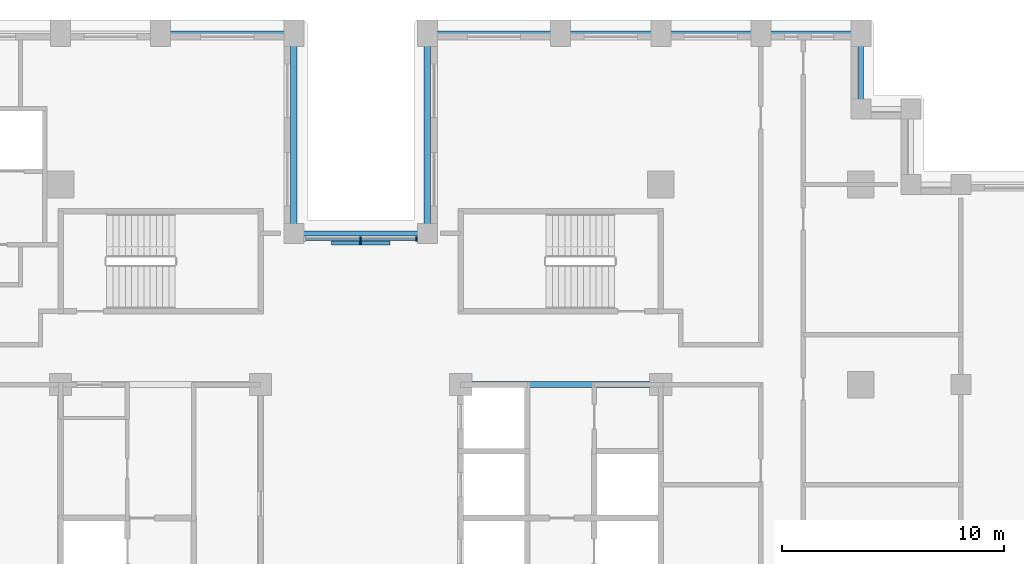
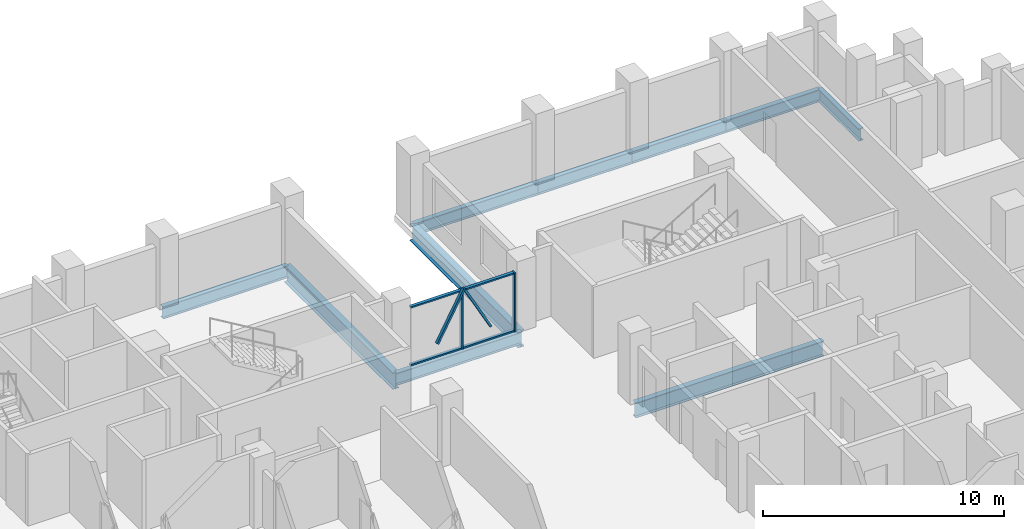
# One storey, part 4 of 16: 10 beams, 8 members, 1 element without a shape of its own.
"""IFC4 building model written with IfcOpenShell, lengths in metres."""

import ifcopenshell
import ifcopenshell.guid

model = None  # the IFC model being written
_history = None  # IfcOwnerHistory: only IFC2X3 demands one
_inside = {}  # id of a spatial element -> (the spatial element, [elements in it])
_under = {}  # id of a project, library or spatial element -> (it, [spatial elements below it])
_declared = {}  # id of a project -> (the project, [libraries it declares])
_typed = {}  # id of a type object -> (the type object, [elements of that type])
_made_of = {}  # id of a material, layer set ... -> (it, [elements and type objects made of it])


def new_model(schema):
    """Start an empty IFC model of exactly this schema.

    Asked for "IFC4X3", IfcOpenShell would pick the latest addendum, in which some entities
    have other attributes; the version numbers below select the first issue.
    IFC2X3 requires an IfcOwnerHistory on every rooted entity: one is made here for all.
    """
    global model, _history
    if schema == "IFC4X3":
        model = ifcopenshell.file(schema_version=(4, 3, 0, 0))
    else:
        model = ifcopenshell.file(schema=schema)
    _inside.clear()
    _under.clear()
    _declared.clear()
    _typed.clear()
    _made_of.clear()
    _history = None
    if model.schema == "IFC2X3":
        org = make("IfcOrganization", Name="unknown")
        user = make(
            "IfcPersonAndOrganization",
            ThePerson=make("IfcPerson", FamilyName="unknown"),
            TheOrganization=org,
        )
        app = make(
            "IfcApplication",
            ApplicationDeveloper=org,
            Version="unknown",
            ApplicationFullName="unknown",
            ApplicationIdentifier="unknown",
        )
        _history = make(
            "IfcOwnerHistory",
            OwningUser=user,
            OwningApplication=app,
            ChangeAction="ADDED",
            CreationDate=0,
        )
    return model


def make(cls, **values):
    """One entity of the class cls with the attributes given. An attribute that is None is left unset."""
    return model.create_entity(
        cls, **{name: value for name, value in values.items() if value is not None}
    )


def rooted(cls, **values):
    """An entity with a GlobalId (a new one), such as an element, a storey or a relation."""
    return make(cls, GlobalId=ifcopenshell.guid.new(), OwnerHistory=_history, **values)


def si_unit(unit_type, name, prefix=None):
    """IfcSIUnit, for example si_unit("LENGTHUNIT", "METRE", prefix="MILLI")."""
    return make("IfcSIUnit", UnitType=unit_type, Prefix=prefix, Name=name)


def assignment(units):
    """IfcUnitAssignment: the units of a project."""
    return None if units is None else make("IfcUnitAssignment", Units=units)


def point(xyz):
    """IfcCartesianPoint."""
    return None if xyz is None else make("IfcCartesianPoint", Coordinates=xyz)


def direction(xyz):
    """IfcDirection."""
    return None if xyz is None else make("IfcDirection", DirectionRatios=xyz)


def frame(location, z_axis=None, x_axis=None):
    """IfcAxis2Placement3D, a coordinate frame: its origin and axes. An axis left out is left unset."""
    return make(
        "IfcAxis2Placement3D",
        Location=point(location),
        Axis=direction(z_axis),
        RefDirection=direction(x_axis),
    )


def frame_2d(location, x_axis=None):
    """IfcAxis2Placement2D, a coordinate frame in the plane: its origin and x axis."""
    return make(
        "IfcAxis2Placement2D", Location=point(location), RefDirection=direction(x_axis)
    )


def origin():
    """The frame at (0, 0, 0) with its axes left unset."""
    return frame((0.0, 0.0, 0.0))


def origin_2d():
    """The frame at (0, 0) in the plane with its x axis left unset."""
    return frame_2d((0.0, 0.0))


def place(relative_to, where):
    """IfcLocalPlacement: puts the frame where relative to a parent placement (None: the world)."""
    return make(
        "IfcLocalPlacement", PlacementRelTo=relative_to, RelativePlacement=where
    )


def context(
    kind, dimensions, precision=None, world=None, true_north=None, identifier=None
):
    """IfcGeometricRepresentationContext, for example the 3D "Model" context."""
    return make(
        "IfcGeometricRepresentationContext",
        ContextIdentifier=identifier,
        ContextType=kind,
        CoordinateSpaceDimension=dimensions,
        Precision=precision,
        WorldCoordinateSystem=world,
        TrueNorth=true_north,
    )


def subcontext(parent, identifier, kind, view, scale=None):
    """IfcGeometricRepresentationSubContext, for example "Body" below "Model"."""
    return make(
        "IfcGeometricRepresentationSubContext",
        ContextIdentifier=identifier,
        ContextType=kind,
        ParentContext=parent,
        TargetScale=scale,
        TargetView=view,
    )


def project(units=None, contexts=None):
    """IfcProject with its units and contexts."""
    return rooted(
        "IfcProject",
        Name="project",
        RepresentationContexts=contexts,
        UnitsInContext=assignment(units),
    )


def spatial(cls, under=None, at=None, **own):
    """A site, building, storey or space (cls), placed at a placement, below another one or the project."""
    s = rooted(cls, ObjectPlacement=at, **own)
    if under is not None:
        _under.setdefault(under.id(), (under, []))[1].append(s)
    return s


def profile(cls, at=None, kind="AREA", **sizes):
    """A parametric profile (cls). Its sizes go by their IFC names, for example OverallWidth=200.0."""
    return make(cls, ProfileType=kind, Position=at, **sizes)


def rectangle(**sizes):
    """IfcRectangleProfileDef."""
    return profile("IfcRectangleProfileDef", **sizes)


def i_section(**sizes):
    """IfcIShapeProfileDef."""
    return profile("IfcIShapeProfileDef", **sizes)


def extrude(swept, where, along, depth):
    """IfcExtrudedAreaSolid: the profile swept, set in the frame where, extruded along a direction by depth."""
    return make(
        "IfcExtrudedAreaSolid",
        SweptArea=swept,
        Position=where,
        ExtrudedDirection=direction(along),
        Depth=depth,
    )


def shape(context_of_items, identifier, shape_type, items):
    """IfcShapeRepresentation: the items that make up one representation, for example the "Body"."""
    return make(
        "IfcShapeRepresentation",
        ContextOfItems=context_of_items,
        RepresentationIdentifier=identifier,
        RepresentationType=shape_type,
        Items=items,
    )


def material(Name=None, Category=None):
    """IfcMaterial."""
    return make("IfcMaterial", Name=Name, Category=Category)


def layer(
    of_material, thickness, ventilated=None, Name=None, Category=None, Priority=None
):
    """IfcMaterialLayer: one layer of a wall or slab, of a material (None: an air gap)."""
    return make(
        "IfcMaterialLayer",
        Material=of_material,
        LayerThickness=thickness,
        IsVentilated=ventilated,
        Name=Name,
        Category=Category,
        Priority=Priority,
    )


def layer_set(layers, Name=None):
    """IfcMaterialLayerSet."""
    return make("IfcMaterialLayerSet", MaterialLayers=layers, LayerSetName=Name)


def material_profile(
    of_material, cross_section, Name=None, Category=None, Priority=None
):
    """IfcMaterialProfile: a cross section and its material."""
    return make(
        "IfcMaterialProfile",
        Name=Name,
        Material=of_material,
        Profile=cross_section,
        Priority=Priority,
        Category=Category,
    )


def profile_set(profiles, Name=None, composite=None):
    """IfcMaterialProfileSet."""
    return make(
        "IfcMaterialProfileSet",
        Name=Name,
        MaterialProfiles=profiles,
        CompositeProfile=composite,
    )


def made_of(thing, what):
    """Note that an element or type object is made of a material, layer set ...; save() writes the relation."""
    if what is not None:
        _made_of.setdefault(what.id(), (what, []))[1].append(thing)
    return thing


def type_object(cls, material=None, **own):
    """A type object (cls), such as IfcWallType, which elements share."""
    return made_of(rooted(cls, **own), material)


def element(
    cls,
    number,
    at=None,
    inside=None,
    cuts=None,
    type_object=None,
    material=None,
    context=None,
    identifier="Body",
    shape_type=None,
    held_by="IfcProductDefinitionShape",
    body=None,
    shapes=None,
    **own,
):
    """One element of the class cls, such as IfcWall. Its Tag is "e" and its number.

    at: its placement. inside: the storey or other place that contains it. cuts: it is an
    opening in that element (IfcRelVoidsElement). A single representation is given by context,
    identifier, shape_type and body (its items); several are given by shapes. held_by: the class
    of the entity that holds the representations. save() writes the other relations.
    """
    e = rooted(cls, Tag="e%d" % number, ObjectPlacement=at, **own)
    if body is not None:
        shapes = [shape(context, identifier, shape_type, body)]
    if shapes is not None:
        e.Representation = make(held_by, Representations=shapes)
    if inside is not None:
        _inside.setdefault(inside.id(), (inside, []))[1].append(e)
    if cuts is not None:
        rooted(
            "IfcRelVoidsElement", RelatingBuildingElement=cuts, RelatedOpeningElement=e
        )
    if type_object is not None:
        _typed.setdefault(type_object.id(), (type_object, []))[1].append(e)
    return made_of(e, material)


def aggregate(whole, parts):
    """IfcRelAggregates: a whole, such as a stair, and the parts it consists of."""
    return rooted("IfcRelAggregates", RelatingObject=whole, RelatedObjects=parts)


def save(model, path):
    """Write the relations noted so far, then the file.

    IfcRelAggregates (storeys below a building ...), IfcRelContainedInSpatialStructure (elements
    in a storey), IfcRelDefinesByType, IfcRelAssociatesMaterial and IfcRelDeclares: one each for
    every whole, place, type object, material and project.
    """
    for whole, parts in _under.values():
        aggregate(whole, parts)
    for where, things in _inside.values():
        rooted(
            "IfcRelContainedInSpatialStructure",
            RelatedElements=things,
            RelatingStructure=where,
        )
    for kind, things in _typed.values():
        rooted("IfcRelDefinesByType", RelatedObjects=things, RelatingType=kind)
    for what, things in _made_of.values():
        rooted("IfcRelAssociatesMaterial", RelatedObjects=things, RelatingMaterial=what)
    for by, libraries in _declared.values():
        rooted("IfcRelDeclares", RelatingContext=by, RelatedDefinitions=libraries)
    model.write(path)


model = new_model("IFC4")

# Units and contexts
model_context = context("Model", 3, precision=1e-05, world=origin(), true_north=direction((0.0, 1.0)))
body_context = subcontext(model_context, "Body", "Model", "MODEL_VIEW")
ifc_project = project(units=[si_unit("LENGTHUNIT", "METRE"), si_unit("AREAUNIT", "SQUARE_METRE"), si_unit("VOLUMEUNIT", "CUBIC_METRE"), si_unit("PLANEANGLEUNIT", "RADIAN"), si_unit("MASSUNIT", "GRAM", prefix="KILO")], contexts=[model_context])

# Site, building, storey
site_placement = place(None, origin())
site = spatial("IfcSite", under=ifc_project, at=site_placement, CompositionType="ELEMENT")
building_placement = place(site_placement, origin())
building = spatial("IfcBuilding", under=site, at=building_placement, Name="Corbelhall Arena Tower", CompositionType="ELEMENT")
storey_placement = place(building_placement, frame((0.0, 0.0, 116.0)))
storey = spatial("IfcBuildingStorey", under=building, at=storey_placement, Name="L21", CompositionType="ELEMENT", Elevation=116.0)

# Curtain wall, members
ifc_material_1 = material(Name="Aluminium black anodised", Category="aluminium")
ifc_layer = layer(ifc_material_1, 0.199951171875)
ifc_layer_set = layer_set([ifc_layer], Name="EV-CW1 Slot back wall")
curtain_wall_type = type_object("IfcCurtainWallType", Name="EV-CW1 Slot back wall", PredefinedType="NOTDEFINED", material=ifc_layer_set)
curtain_wall_placement = place(storey_placement, origin())
curtain_wall = element("IfcCurtainWall", 1, at=curtain_wall_placement, inside=storey, type_object=curtain_wall_type, Name="Curtain wall CW1", PredefinedType="NOTDEFINED")
ifc_material_profile_1 = material_profile(ifc_material_1, rectangle(XDim=0.199951171875, YDim=0.074951171875, at=origin_2d()))
ifc_profile_set_1 = profile_set([ifc_material_profile_1], Name="Aluminium black anodised")
member_type_1 = type_object("IfcMemberType", Name="EV-CW1-MULLION", PredefinedType="MULLION", material=ifc_profile_set_1)
member_1_placement = place(storey_placement, frame((2.512451171875, 15.550048828125, 0.0), z_axis=(0.0, 0.0, 1.0), x_axis=(0.0, -1.0, 0.0)))
member_1 = element("IfcMember", 2, at=member_1_placement, type_object=member_type_1, Name="CW1 mullion 1", PredefinedType="MULLION", context=body_context, shape_type="SweptSolid", body=[
    extrude(rectangle(XDim=0.199951171875, YDim=0.074951171875, at=origin_2d()), origin(), (0.0, 0.0, 1.0), 2.99951171875),
])
member_2_placement = place(storey_placement, frame((0.0, 15.550048828125, 0.0), z_axis=(0.0, 0.0, 1.0), x_axis=(0.0, -1.0, 0.0)))
member_2 = element("IfcMember", 3, at=member_2_placement, type_object=member_type_1, Name="CW1 mullion 2", PredefinedType="MULLION", context=body_context, shape_type="SweptSolid", body=[
    extrude(rectangle(XDim=0.199951171875, YDim=0.074951171875, at=origin_2d()), origin(), (0.0, 0.0, 1.0), 2.99951171875),
])
ifc_material_profile_2 = material_profile(ifc_material_1, rectangle(XDim=0.14990234375, YDim=0.074951171875, at=origin_2d()))
ifc_profile_set_2 = profile_set([ifc_material_profile_2], Name="Aluminium black anodised")
member_type_2 = type_object("IfcMemberType", Name="EV-CW1-TRANSOM", PredefinedType="USERDEFINED", material=ifc_profile_set_2)
member_3_placement = place(storey_placement, frame((2.47509765625, 15.550048828125, 0.03759765625), z_axis=(-1.0, 0.0, 0.0), x_axis=(0.0, -1.0, 0.0)))
member_3 = element("IfcMember", 4, at=member_3_placement, type_object=member_type_2, Name="CW1 transom 1.1", ObjectType="transom", PredefinedType="USERDEFINED", context=body_context, shape_type="SweptSolid", body=[
    extrude(rectangle(XDim=0.14990234375, YDim=0.074951171875, at=origin_2d()), origin(), (0.0, 0.0, 1.0), 2.4375),
])
member_4_placement = place(storey_placement, frame((2.47509765625, 15.550048828125, 2.962158203125), z_axis=(-1.0, 0.0, 0.0), x_axis=(0.0, -1.0, 0.0)))
member_4 = element("IfcMember", 5, at=member_4_placement, type_object=member_type_2, Name="CW1 transom 1.2", ObjectType="transom", PredefinedType="USERDEFINED", context=body_context, shape_type="SweptSolid", body=[
    extrude(rectangle(XDim=0.14990234375, YDim=0.074951171875, at=origin_2d()), origin(), (0.0, 0.0, 1.0), 2.4375),
])
member_5_placement = place(storey_placement, frame((-0.03759765625, 15.550048828125, 0.03759765625), z_axis=(-1.0, 0.0, 0.0), x_axis=(0.0, -1.0, 0.0)))
member_5 = element("IfcMember", 6, at=member_5_placement, type_object=member_type_2, Name="CW1 transom 2.1", ObjectType="transom", PredefinedType="USERDEFINED", context=body_context, shape_type="SweptSolid", body=[
    extrude(rectangle(XDim=0.14990234375, YDim=0.074951171875, at=origin_2d()), origin(), (0.0, 0.0, 1.0), 2.4375),
])
member_6_placement = place(storey_placement, frame((-0.03759765625, 15.550048828125, 2.962158203125), z_axis=(-1.0, 0.0, 0.0), x_axis=(0.0, -1.0, 0.0)))
member_6 = element("IfcMember", 7, at=member_6_placement, type_object=member_type_2, Name="CW1 transom 2.2", ObjectType="transom", PredefinedType="USERDEFINED", context=body_context, shape_type="SweptSolid", body=[
    extrude(rectangle(XDim=0.14990234375, YDim=0.074951171875, at=origin_2d()), origin(), (0.0, 0.0, 1.0), 2.4375),
])
aggregate(curtain_wall, [member_1, member_2, member_3, member_4, member_5, member_6])

# Members
ifc_material_profile_3 = material_profile(ifc_material_1, rectangle(XDim=0.159912109375, YDim=0.10009765625, at=origin_2d()))
ifc_profile_set_3 = profile_set([ifc_material_profile_3], Name="Aluminium black anodised")
member_type_3 = type_object("IfcMemberType", Name="EV-TR1 Tracery bar", PredefinedType="USERDEFINED", material=ifc_profile_set_3)
for number, where, z_axis, x_axis, name in (
    (8, (1.27490234375, 15.3701171875, 0.807373046875), (-0.478030960994, 0.0, 0.878342985588), (0.0, -1.0, 0.0), "Tracery bar"),
    (9, (0.0, 15.3701171875, 3.14990234375), (-0.478030960994, 0.0, -0.878342985588), (0.0, -1.0, 0.0), "Tracery bar"),
):
    element("IfcMember", number, at=place(storey_placement, frame(where, z_axis=z_axis, x_axis=x_axis)), inside=storey, type_object=member_type_3, Name=name, ObjectType="TRACERY", PredefinedType="USERDEFINED", context=body_context, shape_type="SweptSolid", body=[
        extrude(rectangle(XDim=0.159912109375, YDim=0.10009765625, at=origin_2d()), origin(), (0.0, 0.0, 1.0), 2.6669921875),
    ])

# Beams
ifc_material_2 = material(Name="Steel ASTM A992 Gr50", Category="steel")
ifc_material_profile_4 = material_profile(ifc_material_2, i_section(OverallWidth=0.2666015625, OverallDepth=0.761962890625, WebThickness=0.014404296875, FlangeThickness=0.021484375, at=origin_2d()))
ifc_profile_set_4 = profile_set([ifc_material_profile_4], Name="Steel ASTM A992 Gr50")
beam_type_1 = type_object("IfcBeamType", Name="ST-BEAM-W30x116", PredefinedType="BEAM", material=ifc_profile_set_4)
beam_1_placement = place(storey_placement, frame((4.5, 9.0, -0.680908203125), z_axis=(1.0, 0.0, 0.0), x_axis=(0.0, 1.0, 0.0)))
element("IfcBeam", 10, at=beam_1_placement, inside=storey, type_object=beam_type_1, Name="Beam CEE 12", PredefinedType="BEAM", context=body_context, shape_type="SweptSolid", body=[
    extrude(i_section(OverallWidth=0.2666015625, OverallDepth=0.761962890625, WebThickness=0.014404296875, FlangeThickness=0.021484375, at=origin_2d()), origin(), (0.0, 0.0, 1.0), 9.0),
])
ifc_material_profile_5 = material_profile(ifc_material_2, i_section(OverallWidth=0.23046875, OverallDepth=0.6171875, WebThickness=0.01318359375, FlangeThickness=0.022216796875, at=origin_2d()))
ifc_profile_set_5 = profile_set([ifc_material_profile_5], Name="Steel ASTM A992 Gr50")
beam_type_2 = type_object("IfcBeamType", Name="ST-SPANDREL-W24x94", PredefinedType="SPANDREL", material=ifc_profile_set_5)
beam_2_placement = place(storey_placement, frame((3.0, 24.800048828125, -0.608642578125), z_axis=(1.0, 0.0, 0.0), x_axis=(0.0, 1.0, 0.0)))
element("IfcBeam", 11, at=beam_2_placement, inside=storey, type_object=beam_type_2, Name="Beam SP 17", PredefinedType="SPANDREL", context=body_context, shape_type="SweptSolid", body=[
    extrude(i_section(OverallWidth=0.23046875, OverallDepth=0.6171875, WebThickness=0.01318359375, FlangeThickness=0.022216796875, at=origin_2d()), origin(), (0.0, 0.0, 1.0), 6.0),
])
for number, where, z_axis, x_axis, name in (
    (12, (9.0, 24.800048828125, -0.608642578125), (1.0, 0.0, 0.0), (0.0, 1.0, 0.0), "Beam SP 18"),
    (13, (13.5, 24.800048828125, -0.608642578125), (1.0, 0.0, 0.0), (0.0, 1.0, 0.0), "Beam SP 19"),
    (14, (18.0, 24.800048828125, -0.608642578125), (1.0, 0.0, 0.0), (0.0, 1.0, 0.0), "Beam SP 20"),
):
    element("IfcBeam", number, at=place(storey_placement, frame(where, z_axis=z_axis, x_axis=x_axis)), inside=storey, type_object=beam_type_2, Name=name, PredefinedType="SPANDREL", context=body_context, shape_type="SweptSolid", body=[
        extrude(i_section(OverallWidth=0.23046875, OverallDepth=0.6171875, WebThickness=0.01318359375, FlangeThickness=0.022216796875, at=origin_2d()), origin(), (0.0, 0.0, 1.0), 4.5),
    ])
beam_3_placement = place(storey_placement, frame((22.5, 24.800048828125, -0.608642578125), z_axis=(0.0, -1.0, 0.0), x_axis=(1.0, 0.0, 0.0)))
element("IfcBeam", 15, at=beam_3_placement, inside=storey, type_object=beam_type_2, Name="Beam SP 21", PredefinedType="SPANDREL", context=body_context, shape_type="SweptSolid", body=[
    extrude(i_section(OverallWidth=0.23046875, OverallDepth=0.6171875, WebThickness=0.01318359375, FlangeThickness=0.022216796875, at=origin_2d()), origin(), (0.0, 0.0, 1.0), 3.400146484375),
])
for number, where, z_axis, x_axis, name in (
    (16, (-9.0, 24.800048828125, -0.608642578125), (1.0, 0.0, 0.0), (0.0, 1.0, 0.0), "Beam SP 23"),
    (17, (-3.0, 15.800048828125, -0.608642578125), (1.0, 0.0, 0.0), (0.0, 1.0, 0.0), "Beam SP 40"),
):
    element("IfcBeam", number, at=place(storey_placement, frame(where, z_axis=z_axis, x_axis=x_axis)), inside=storey, type_object=beam_type_2, Name=name, PredefinedType="SPANDREL", context=body_context, shape_type="SweptSolid", body=[
        extrude(i_section(OverallWidth=0.23046875, OverallDepth=0.6171875, WebThickness=0.01318359375, FlangeThickness=0.022216796875, at=origin_2d()), origin(), (0.0, 0.0, 1.0), 6.0),
    ])
ifc_material_profile_6 = material_profile(ifc_material_2, i_section(OverallWidth=0.2919921875, OverallDepth=0.845703125, WebThickness=0.015380859375, FlangeThickness=0.0244140625, at=origin_2d()))
ifc_profile_set_6 = profile_set([ifc_material_profile_6], Name="Steel ASTM A992 Gr50")
beam_type_3 = type_object("IfcBeamType", Name="ST-SPANDREL-W33x141", PredefinedType="SPANDREL", material=ifc_profile_set_6)
for number, where, z_axis, x_axis, name in (
    (18, (-3.0, 24.800048828125, -0.722900390625), (0.0, -1.0, 0.0), (1.0, 0.0, 0.0), "Beam SP 22"),
    (19, (3.0, 15.800048828125, -0.722900390625), (0.0, 1.0, 0.0), (-1.0, 0.0, 0.0), "Beam SP 39"),
):
    element("IfcBeam", number, at=place(storey_placement, frame(where, z_axis=z_axis, x_axis=x_axis)), inside=storey, type_object=beam_type_3, Name=name, PredefinedType="SPANDREL", context=body_context, shape_type="SweptSolid", body=[
        extrude(i_section(OverallWidth=0.2919921875, OverallDepth=0.845703125, WebThickness=0.015380859375, FlangeThickness=0.0244140625, at=origin_2d()), origin(), (0.0, 0.0, 1.0), 9.0),
    ])

save(model, "model.ifc")
